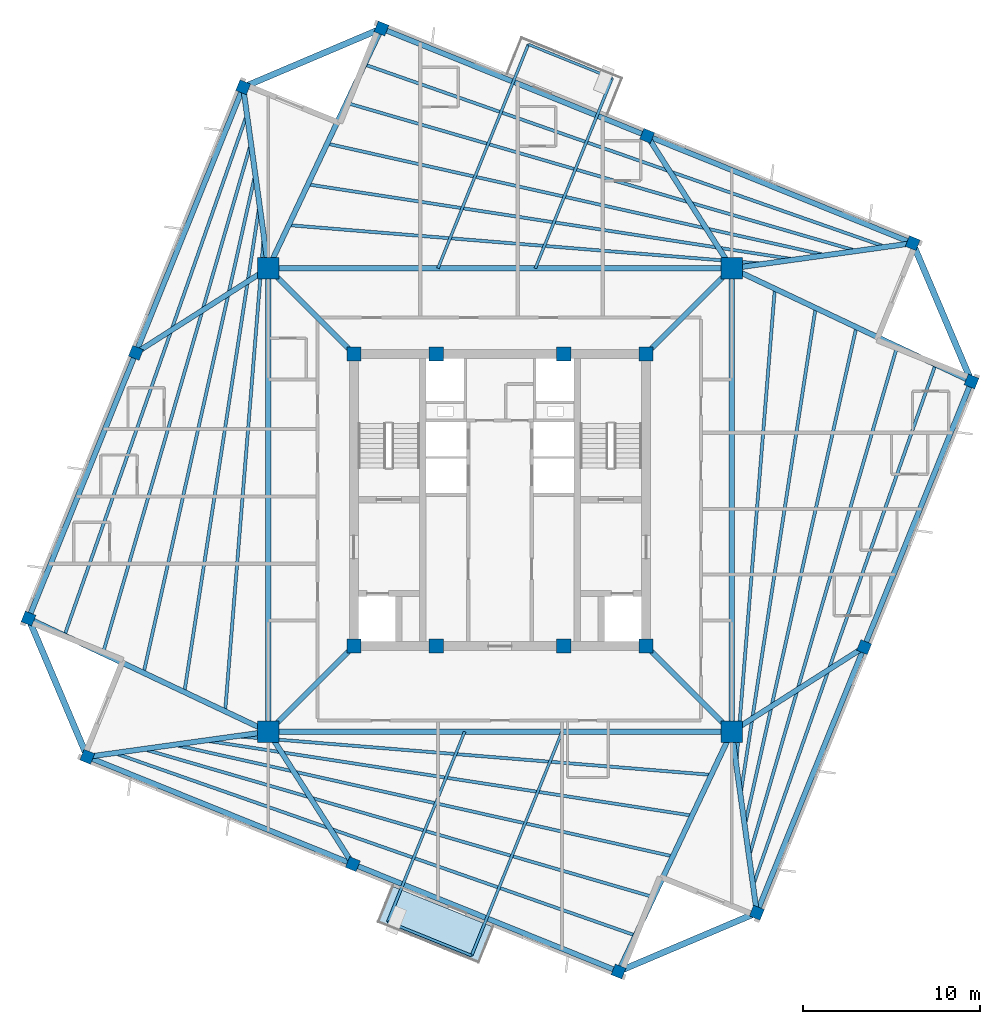
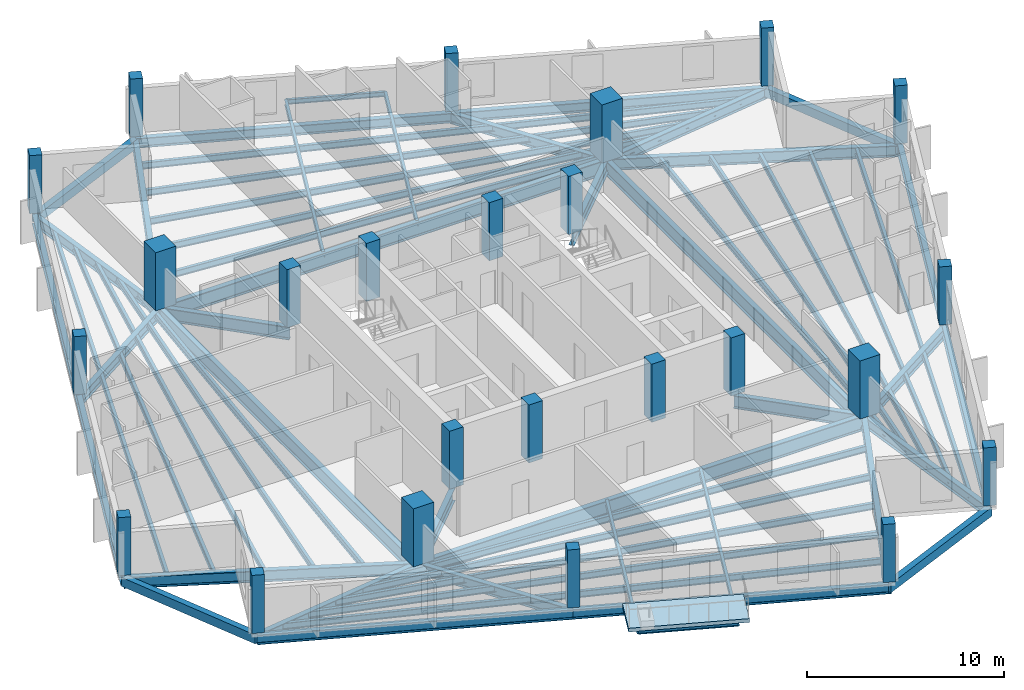
# One storey, part 1 of 9: 58 beams, 24 columns, 1 slab.
"""IFC4 building model written with IfcOpenShell, lengths in metres."""

from ifc_helpers import new_model, si_unit, direction, frame, origin, origin_2d, place, context, subcontext, project, spatial, polyline, rectangle, i_section, outline, extrude, source, transform, mapped, material, layer, layer_set, material_profile, profile_set, type_object, element, save


model = new_model("IFC4")

# Units and contexts
model_context = context("Model", 3, precision=1e-05, world=origin(), true_north=direction((0.0, 1.0)))
body_context = subcontext(model_context, "Body", "Model", "MODEL_VIEW")
ifc_project = project(units=[si_unit("LENGTHUNIT", "METRE"), si_unit("AREAUNIT", "SQUARE_METRE"), si_unit("VOLUMEUNIT", "CUBIC_METRE"), si_unit("PLANEANGLEUNIT", "RADIAN"), si_unit("MASSUNIT", "GRAM", prefix="KILO"), si_unit("THERMODYNAMICTEMPERATUREUNIT", "KELVIN")], contexts=[model_context])

# Site, building, storey
site_placement = place(None, origin())
site = spatial("IfcSite", under=ifc_project, at=site_placement, CompositionType="ELEMENT")
building_placement = place(site_placement, origin())
building = spatial("IfcBuilding", under=site, at=building_placement, Name="Kosmvard Interchange Tower", CompositionType="ELEMENT")
storey_placement = place(building_placement, frame((0.0, 0.0, 297.60009765625)))
storey = spatial("IfcBuildingStorey", under=building, at=storey_placement, Name="L73", CompositionType="ELEMENT", Elevation=297.60009765625)

# Columns
ifc_material_1 = material(Name="Concrete C50/60", Category="concrete")
ifc_material_profile_1 = material_profile(ifc_material_1, rectangle(XDim=0.800048828125, YDim=0.800048828125, at=origin_2d()), Name="CP 800x800")
ifc_profile_set_1 = profile_set([ifc_material_profile_1], Name="Concrete C50/60")
column_type_1 = type_object("IfcColumnType", Name="Core Boundary Pilaster 800x800 C50/60", PredefinedType="PILASTER", material=ifc_profile_set_1)
shared_shape_1 = source(origin(), body_context, "Body", "SweptSolid", [
    extrude(rectangle(XDim=0.800048828125, YDim=0.800048828125, at=origin_2d()), origin(), (0.0, 0.0, 1.0), 3.599853515625),
])
for number, where, z_axis, x_axis, name in (
    (1, (-8.25, -8.25, 0.0), (0.0, 0.0, 1.0), (1.0, 0.0, 0.0), "L73 Core Pilaster CP1"),
    (2, (8.25, -8.25, 0.0), (0.0, 0.0, 1.0), (1.0, 0.0, 0.0), "L73 Core Pilaster CP2"),
    (3, (8.25, 8.25, 0.0), (0.0, 0.0, 1.0), (1.0, 0.0, 0.0), "L73 Core Pilaster CP3"),
    (4, (-8.25, 8.25, 0.0), (0.0, 0.0, 1.0), (1.0, 0.0, 0.0), "L73 Core Pilaster CP4"),
    (5, (-3.60009765625, -8.25, 0.0), (0.0, 0.0, 1.0), (1.0, 0.0, 0.0), "L73 Core Pilaster CP5"),
    (6, (3.60009765625, -8.25, 0.0), (0.0, 0.0, 1.0), (1.0, 0.0, 0.0), "L73 Core Pilaster CP6"),
    (7, (-3.60009765625, 8.25, 0.0), (0.0, 0.0, 1.0), (1.0, 0.0, 0.0), "L73 Core Pilaster CP7"),
    (8, (3.60009765625, 8.25, 0.0), (0.0, 0.0, 1.0), (1.0, 0.0, 0.0), "L73 Core Pilaster CP8"),
):
    element("IfcColumn", number, at=place(storey_placement, frame(where, z_axis=z_axis, x_axis=x_axis)), inside=storey, type_object=column_type_1, Name=name, PredefinedType="PILASTER", context=body_context, shape_type="MappedRepresentation", body=[
        mapped(shared_shape_1, transform((0.0, 0.0, 0.0), scale=1.0)),
    ])
ifc_material_profile_2 = material_profile(ifc_material_1, rectangle(XDim=1.199951171875, YDim=1.199951171875, at=origin_2d()), Name="MC 1200x1200")
ifc_profile_set_2 = profile_set([ifc_material_profile_2], Name="Concrete C50/60")
column_type_2 = type_object("IfcColumnType", Name="Composite Mega-Column 1200x1200 C50/60", PredefinedType="COLUMN", material=ifc_profile_set_2)
shared_shape_2 = source(origin(), body_context, "Body", "SweptSolid", [
    extrude(rectangle(XDim=1.199951171875, YDim=1.199951171875, at=origin_2d()), origin(), (0.0, 0.0, 1.0), 3.599853515625),
])
for number, where, z_axis, x_axis, name in (
    (9, (-13.0810546875, -13.0810546875, 0.0), (0.0, 0.0, 1.0), (1.0, 0.0, 0.0), "L73 Corner Mega-Column MC1"),
    (10, (13.0810546875, -13.0810546875, 0.0), (0.0, 0.0, 1.0), (1.0, 0.0, 0.0), "L73 Corner Mega-Column MC2"),
    (11, (13.0810546875, 13.0810546875, 0.0), (0.0, 0.0, 1.0), (1.0, 0.0, 0.0), "L73 Corner Mega-Column MC3"),
    (12, (-13.0810546875, 13.0810546875, 0.0), (0.0, 0.0, 1.0), (1.0, 0.0, 0.0), "L73 Corner Mega-Column MC4"),
):
    element("IfcColumn", number, at=place(storey_placement, frame(where, z_axis=z_axis, x_axis=x_axis)), inside=storey, type_object=column_type_2, Name=name, PredefinedType="COLUMN", context=body_context, shape_type="MappedRepresentation", body=[
        mapped(shared_shape_2, transform((0.0, 0.0, 0.0), scale=1.0)),
    ])
ifc_material_profile_3 = material_profile(ifc_material_1, rectangle(XDim=0.64990234375, YDim=0.64990234375, at=origin_2d()), Name="TC 650x650")
ifc_profile_set_3 = profile_set([ifc_material_profile_3], Name="Concrete C50/60")
column_type_3 = type_object("IfcColumnType", Name="Zone 5 Perimeter Pier Column 650x650 C50/60", PredefinedType="COLUMN", material=ifc_profile_set_3)
shared_shape_3 = source(origin(), body_context, "Body", "SweptSolid", [
    extrude(rectangle(XDim=0.64990234375, YDim=0.64990234375, at=origin_2d()), origin(), (0.0, 0.0, 1.0), 3.599853515625),
])
for number, where, z_axis, x_axis, name in (
    (13, (14.5009765625, -23.30419921875, 0.0), (0.0, 0.0, 1.0), (0.374606593416, 0.927183854567, 0.0), "L73 Perimeter Pier Column TC-S1"),
    (14, (20.560302734375, -8.306884765625, 0.0), (0.0, 0.0, 1.0), (0.374606593416, 0.927183854567, 0.0), "L73 Perimeter Pier Column TC-S2"),
    (15, (26.61962890625, 6.690185546875, 0.0), (0.0, 0.0, 1.0), (0.374606593416, 0.927183854567, 0.0), "L73 Perimeter Pier Column TC-S3"),
    (16, (23.30419921875, 14.5009765625, 0.0), (0.0, 0.0, 1.0), (0.374606593416, 0.927183854567, 0.0), "L73 Perimeter Pier Column TC-E1"),
    (17, (8.306884765625, 20.560302734375, 0.0), (0.0, 0.0, 1.0), (0.374606593416, 0.927183854567, 0.0), "L73 Perimeter Pier Column TC-E2"),
    (18, (-6.690185546875, 26.61962890625, 0.0), (0.0, 0.0, 1.0), (0.374606593416, 0.927183854567, 0.0), "L73 Perimeter Pier Column TC-E3"),
    (19, (-14.5009765625, 23.30419921875, 0.0), (0.0, 0.0, 1.0), (0.374606593416, 0.927183854567, 0.0), "L73 Perimeter Pier Column TC-N1"),
    (20, (-20.560302734375, 8.306884765625, 0.0), (0.0, 0.0, 1.0), (0.374606593416, 0.927183854567, 0.0), "L73 Perimeter Pier Column TC-N2"),
    (21, (-26.61962890625, -6.690185546875, 0.0), (0.0, 0.0, 1.0), (0.374606593416, 0.927183854567, 0.0), "L73 Perimeter Pier Column TC-N3"),
    (22, (-23.30419921875, -14.5009765625, 0.0), (0.0, 0.0, 1.0), (0.374606593416, 0.927183854567, 0.0), "L73 Perimeter Pier Column TC-W1"),
    (23, (-8.306884765625, -20.560302734375, 0.0), (0.0, 0.0, 1.0), (0.374606593416, 0.927183854567, 0.0), "L73 Perimeter Pier Column TC-W2"),
    (24, (6.690185546875, -26.61962890625, 0.0), (0.0, 0.0, 1.0), (0.374606593416, 0.927183854567, 0.0), "L73 Perimeter Pier Column TC-W3"),
):
    element("IfcColumn", number, at=place(storey_placement, frame(where, z_axis=z_axis, x_axis=x_axis)), inside=storey, type_object=column_type_3, Name=name, PredefinedType="COLUMN", context=body_context, shape_type="MappedRepresentation", body=[
        mapped(shared_shape_3, transform((0.0, 0.0, 0.0), scale=1.0)),
    ])

# Beams
ifc_material_2 = material(Name="Steel S355", Category="steel")
ifc_material_profile_4 = material_profile(ifc_material_2, i_section(OverallWidth=0.14990234375, OverallDepth=0.300048828125, WebThickness=0.007080078125, FlangeThickness=0.0107421875, FilletRadius=0.014892578125, at=origin_2d()), Name="IPE 300")
ifc_profile_set_4 = profile_set([ifc_material_profile_4], Name="Steel S355")
beam_type_1 = type_object("IfcBeamType", Name="Balcony Edge Header Joist IPE 300 S355", PredefinedType="JOIST", material=ifc_profile_set_4)
shared_shape_4 = source(origin(), body_context, "Body", "SweptSolid", [
    extrude(i_section(OverallWidth=0.14990234375, OverallDepth=0.300048828125, WebThickness=0.007080078125, FlangeThickness=0.0107421875, FilletRadius=0.014892578125, at=origin_2d()), origin(), (0.0, 0.0, 1.0), 5.10009765625),
])
for number, where, z_axis, x_axis, name in (
    (25, (6.331298828125, 23.812255859375, -0.400146484375), (-0.927193563684, 0.37458256161, 0.0), (-0.37458256161, -0.927193563684, 0.0), "BM-L73-BJH1"),
    (26, (-6.331298828125, -23.812255859375, -0.400146484375), (0.927193563684, -0.37458256161, 0.0), (0.37458256161, 0.927193563684, 0.0), "BM-L73-BJH2"),
):
    element("IfcBeam", number, at=place(storey_placement, frame(where, z_axis=z_axis, x_axis=x_axis)), inside=storey, type_object=beam_type_1, Name=name, PredefinedType="JOIST", context=body_context, shape_type="MappedRepresentation", body=[
        mapped(shared_shape_4, transform((0.0, 0.0, 0.0), scale=1.0)),
    ])
ifc_material_profile_5 = material_profile(ifc_material_2, i_section(OverallWidth=0.300048828125, OverallDepth=0.800048828125, WebThickness=0.017578125, FlangeThickness=0.032958984375, FilletRadius=0.027099609375, at=origin_2d()), Name="HEB 800")
ifc_profile_set_5 = profile_set([ifc_material_profile_5], Name="Steel S355")
beam_type_2 = type_object("IfcBeamType", Name="Primary Mega-Frame Girder HEB 800 S355", PredefinedType="BEAM", material=ifc_profile_set_5)
shared_shape_5 = source(origin(), body_context, "Body", "SweptSolid", [
    extrude(i_section(OverallWidth=0.300048828125, OverallDepth=0.800048828125, WebThickness=0.017578125, FlangeThickness=0.032958984375, FilletRadius=0.027099609375, at=origin_2d()), origin(), (0.0, 0.0, 1.0), 6.83203125),
])
for number, where, z_axis, x_axis, name in (
    (27, (-8.25, -8.25, -0.650146484375), (-0.707106781187, -0.707106781187, 0.0), (0.707106781187, -0.707106781187, 0.0), "L73 Radial Mega-Frame Girder 1"),
    (28, (8.25, -8.25, -0.650146484375), (0.707106781187, -0.707106781187, 0.0), (0.707106781187, 0.707106781187, 0.0), "L73 Radial Mega-Frame Girder 2"),
    (29, (8.25, 8.25, -0.650146484375), (0.707106781187, 0.707106781187, 0.0), (-0.707106781187, 0.707106781187, 0.0), "L73 Radial Mega-Frame Girder 3"),
    (30, (-8.25, 8.25, -0.650146484375), (-0.707106781187, 0.707106781187, 0.0), (-0.707106781187, -0.707106781187, 0.0), "L73 Radial Mega-Frame Girder 4"),
):
    element("IfcBeam", number, at=place(storey_placement, frame(where, z_axis=z_axis, x_axis=x_axis)), inside=storey, type_object=beam_type_2, Name=name, PredefinedType="BEAM", context=body_context, shape_type="MappedRepresentation", body=[
        mapped(shared_shape_5, transform((0.0, 0.0, 0.0), scale=1.0)),
    ])
ifc_material_profile_6 = material_profile(ifc_material_2, i_section(OverallWidth=0.300048828125, OverallDepth=0.89990234375, WebThickness=0.0185546875, FlangeThickness=0.034912109375, FilletRadius=0.030029296875, at=origin_2d()), Name="HEB 900")
ifc_profile_set_6 = profile_set([ifc_material_profile_6], Name="Steel S355")
beam_type_3 = type_object("IfcBeamType", Name="Mega-Column Ring Girder HEB 900 S355", PredefinedType="BEAM", material=ifc_profile_set_6)
shared_shape_6 = source(origin(), body_context, "Body", "SweptSolid", [
    extrude(i_section(OverallWidth=0.300048828125, OverallDepth=0.89990234375, WebThickness=0.0185546875, FlangeThickness=0.034912109375, FilletRadius=0.030029296875, at=origin_2d()), origin(), (0.0, 0.0, 1.0), 26.162109375),
])
for number, where, z_axis, x_axis, name in (
    (31, (-13.0810546875, -13.0810546875, -0.7001953125), (1.0, 0.0, 0.0), (0.0, 1.0, 0.0), "L73 Mega-Column Ring Girder 1"),
    (32, (13.0810546875, -13.0810546875, -0.7001953125), (0.0, 1.0, 0.0), (-1.0, 0.0, 0.0), "L73 Mega-Column Ring Girder 2"),
    (33, (13.0810546875, 13.0810546875, -0.7001953125), (-1.0, 0.0, 0.0), (0.0, -1.0, 0.0), "L73 Mega-Column Ring Girder 3"),
    (34, (-13.0810546875, 13.0810546875, -0.7001953125), (0.0, -1.0, 0.0), (1.0, 0.0, 0.0), "L73 Mega-Column Ring Girder 4"),
):
    element("IfcBeam", number, at=place(storey_placement, frame(where, z_axis=z_axis, x_axis=x_axis)), inside=storey, type_object=beam_type_3, Name=name, PredefinedType="BEAM", context=body_context, shape_type="MappedRepresentation", body=[
        mapped(shared_shape_6, transform((0.0, 0.0, 0.0), scale=1.0)),
    ])
ifc_material_profile_7 = material_profile(ifc_material_2, i_section(OverallWidth=0.300048828125, OverallDepth=0.60009765625, WebThickness=0.015380859375, FlangeThickness=0.030029296875, FilletRadius=0.027099609375, at=origin_2d()), Name="HEB 600")
ifc_profile_set_7 = profile_set([ifc_material_profile_7], Name="Steel S355")
beam_type_4 = type_object("IfcBeamType", Name="Perimeter Tie Girder HEB 600 S355", PredefinedType="BEAM", material=ifc_profile_set_7)
shared_shape_7 = source(origin(), body_context, "Body", "SweptSolid", [
    extrude(i_section(OverallWidth=0.300048828125, OverallDepth=0.60009765625, WebThickness=0.015380859375, FlangeThickness=0.030029296875, FilletRadius=0.027099609375, at=origin_2d()), origin(), (0.0, 0.0, 1.0), 16.175048828125),
])
for number, where, z_axis, x_axis, name in (
    (35, (14.5009765625, -23.30419921875, -0.550048828125), (0.374607540279, 0.927183472009, 0.0), (-0.927183472009, 0.374607540279, 0.0), "BM-L73-PR01"),
    (36, (23.30419921875, 14.5009765625, -0.550048828125), (-0.927183472009, 0.374607540279, 0.0), (-0.374607540279, -0.927183472009, 0.0), "BM-L73-PR04"),
    (37, (-14.5009765625, 23.30419921875, -0.550048828125), (-0.374607540279, -0.927183472009, 0.0), (0.927183472009, -0.374607540279, 0.0), "BM-L73-PR07"),
    (38, (-23.30419921875, -14.5009765625, -0.550048828125), (0.927183472009, -0.374607540279, 0.0), (0.374607540279, 0.927183472009, 0.0), "BM-L73-PR10"),
):
    element("IfcBeam", number, at=place(storey_placement, frame(where, z_axis=z_axis, x_axis=x_axis)), inside=storey, type_object=beam_type_4, Name=name, PredefinedType="BEAM", context=body_context, shape_type="MappedRepresentation", body=[
        mapped(shared_shape_7, transform((0.0, 0.0, 0.0), scale=1.0)),
    ])
ifc_material_profile_8 = material_profile(ifc_material_2, i_section(OverallWidth=0.300048828125, OverallDepth=0.64990234375, WebThickness=0.01611328125, FlangeThickness=0.031005859375, FilletRadius=0.027099609375, at=origin_2d()), Name="HEB 650")
ifc_profile_set_8 = profile_set([ifc_material_profile_8], Name="Steel S355")
beam_type_5 = type_object("IfcBeamType", Name="Primary Floor Girder HEB 650 S355", PredefinedType="BEAM", material=ifc_profile_set_8)
shared_shape_8 = source(origin(), body_context, "Body", "SweptSolid", [
    extrude(i_section(OverallWidth=0.300048828125, OverallDepth=0.64990234375, WebThickness=0.01611328125, FlangeThickness=0.031005859375, FilletRadius=0.027099609375, at=origin_2d()), origin(), (0.0, 0.0, 1.0), 10.3212890625),
])
for number, where, z_axis, x_axis, name in (
    (39, (13.0810546875, -13.0810546875, -0.5751953125), (0.137572239014, -0.990491735984, 0.0), (0.990491735984, 0.137572239014, 0.0), "BM-L73-RD01"),
    (40, (13.0810546875, 13.0810546875, -0.5751953125), (0.990491735984, 0.137572239014, 0.0), (-0.137572239014, 0.990491735984, 0.0), "BM-L73-RD04"),
    (41, (-13.0810546875, 13.0810546875, -0.5751953125), (-0.137572239014, 0.990491735984, 0.0), (-0.990491735984, -0.137572239014, 0.0), "BM-L73-RD07"),
    (42, (-13.0810546875, -13.0810546875, -0.5751953125), (-0.990491735984, -0.137572239014, 0.0), (0.137572239014, -0.990491735984, 0.0), "BM-L73-RD10"),
):
    element("IfcBeam", number, at=place(storey_placement, frame(where, z_axis=z_axis, x_axis=x_axis)), inside=storey, type_object=beam_type_5, Name=name, PredefinedType="BEAM", context=body_context, shape_type="MappedRepresentation", body=[
        mapped(shared_shape_8, transform((0.0, 0.0, 0.0), scale=1.0)),
    ])
shared_shape_9 = source(origin(), body_context, "Body", "SweptSolid", [
    extrude(i_section(OverallWidth=0.300048828125, OverallDepth=0.60009765625, WebThickness=0.015380859375, FlangeThickness=0.030029296875, FilletRadius=0.027099609375, at=origin_2d()), origin(), (0.0, 0.0, 1.0), 16.1748046875),
])
for number, where, z_axis, x_axis, name in (
    (43, (20.560302734375, -8.306884765625, -0.550048828125), (0.374612782798, 0.92718135387, 0.0), (-0.92718135387, 0.374612782798, 0.0), "BM-L73-PR02"),
    (44, (8.306884765625, 20.560302734375, -0.550048828125), (-0.92718135387, 0.374612782798, 0.0), (-0.374612782798, -0.92718135387, 0.0), "BM-L73-PR05"),
    (45, (-20.560302734375, 8.306884765625, -0.550048828125), (-0.374612782798, -0.92718135387, 0.0), (0.92718135387, -0.374612782798, 0.0), "BM-L73-PR08"),
    (46, (-8.306884765625, -20.560302734375, -0.550048828125), (0.92718135387, -0.374612782798, 0.0), (0.374612782798, 0.92718135387, 0.0), "BM-L73-PR11"),
):
    element("IfcBeam", number, at=place(storey_placement, frame(where, z_axis=z_axis, x_axis=x_axis)), inside=storey, type_object=beam_type_4, Name=name, PredefinedType="BEAM", context=body_context, shape_type="MappedRepresentation", body=[
        mapped(shared_shape_9, transform((0.0, 0.0, 0.0), scale=1.0)),
    ])
shared_shape_10 = source(origin(), body_context, "Body", "SweptSolid", [
    extrude(i_section(OverallWidth=0.300048828125, OverallDepth=0.64990234375, WebThickness=0.01611328125, FlangeThickness=0.031005859375, FilletRadius=0.027099609375, at=origin_2d()), origin(), (0.0, 0.0, 1.0), 8.873046875),
])
for number, where, z_axis, x_axis, name in (
    (47, (13.0810546875, -13.0810546875, -0.5751953125), (0.842912916934, 0.538050011119, 0.0), (-0.538050011119, 0.842912916934, 0.0), "BM-L73-RD02"),
    (48, (13.0810546875, 13.0810546875, -0.5751953125), (-0.538050011119, 0.842912916934, 0.0), (-0.842912916934, -0.538050011119, 0.0), "BM-L73-RD05"),
    (49, (-13.0810546875, 13.0810546875, -0.5751953125), (-0.842912916934, -0.538050011119, 0.0), (0.538050011119, -0.842912916934, 0.0), "BM-L73-RD08"),
    (50, (-13.0810546875, -13.0810546875, -0.5751953125), (0.538050011119, -0.842912916934, 0.0), (0.842912916934, 0.538050011119, 0.0), "BM-L73-RD11"),
):
    element("IfcBeam", number, at=place(storey_placement, frame(where, z_axis=z_axis, x_axis=x_axis)), inside=storey, type_object=beam_type_5, Name=name, PredefinedType="BEAM", context=body_context, shape_type="MappedRepresentation", body=[
        mapped(shared_shape_10, transform((0.0, 0.0, 0.0), scale=1.0)),
    ])
ifc_material_3 = material(Name="Precast concrete C45/55", Category="concrete")
ifc_material_profile_9 = material_profile(ifc_material_3, rectangle(XDim=0.35009765625, YDim=0.550048828125, at=origin_2d()), Name="SL 350x550")
ifc_profile_set_9 = profile_set([ifc_material_profile_9], Name="Precast concrete C45/55")
beam_type_6 = type_object("IfcBeamType", Name="Precast Spandrel Lintel 350x550 C45/55", PredefinedType="LINTEL", material=ifc_profile_set_9)
shared_shape_11 = source(origin(), body_context, "Body", "SweptSolid", [
    extrude(rectangle(XDim=0.35009765625, YDim=0.550048828125, at=origin_2d()), origin(), (0.0, 0.0, 1.0), 8.4853515625),
])
for number, where, z_axis, x_axis, name in (
    (51, (26.61962890625, 6.690185546875, -0.525146484375), (-0.390725696857, 0.920507159025, 0.0), (-0.920507159025, -0.390725696857, 0.0), "BM-L73-SL1"),
    (52, (-6.690185546875, 26.61962890625, -0.525146484375), (-0.920507159025, -0.390725696857, 0.0), (0.390725696857, -0.920507159025, 0.0), "BM-L73-SL2"),
    (53, (-26.61962890625, -6.690185546875, -0.525146484375), (0.390725696857, -0.920507159025, 0.0), (0.920507159025, 0.390725696857, 0.0), "BM-L73-SL3"),
    (54, (6.690185546875, -26.61962890625, -0.525146484375), (0.920507159025, 0.390725696857, 0.0), (-0.390725696857, 0.920507159025, 0.0), "BM-L73-SL4"),
):
    element("IfcBeam", number, at=place(storey_placement, frame(where, z_axis=z_axis, x_axis=x_axis)), inside=storey, type_object=beam_type_6, Name=name, PredefinedType="LINTEL", context=body_context, shape_type="MappedRepresentation", body=[
        mapped(shared_shape_11, transform((0.0, 0.0, 0.0), scale=1.0)),
    ])
ifc_material_profile_10 = material_profile(ifc_material_2, i_section(OverallWidth=0.300048828125, OverallDepth=0.699951171875, WebThickness=0.01708984375, FlangeThickness=0.031982421875, FilletRadius=0.027099609375, at=origin_2d()), Name="HEB 700")
ifc_profile_set_10 = profile_set([ifc_material_profile_10], Name="Steel S355")
beam_type_7 = type_object("IfcBeamType", Name="Primary Floor Girder HEB 700 S355", PredefinedType="BEAM", material=ifc_profile_set_10)
shared_shape_12 = source(origin(), body_context, "Body", "SweptSolid", [
    extrude(i_section(OverallWidth=0.300048828125, OverallDepth=0.699951171875, WebThickness=0.01708984375, FlangeThickness=0.031982421875, FilletRadius=0.027099609375, at=origin_2d()), origin(), (0.0, 0.0, 1.0), 14.97119140625),
])
for number, where, z_axis, x_axis, name in (
    (55, (13.0810546875, 13.0810546875, -0.60009765625), (0.904309155001, -0.426878146761, 0.0), (0.426878146761, 0.904309155001, 0.0), "BM-L73-RD03"),
    (56, (-13.0810546875, 13.0810546875, -0.60009765625), (0.426878146761, 0.904309155001, 0.0), (-0.904309155001, 0.426878146761, 0.0), "BM-L73-RD06"),
    (57, (-13.0810546875, -13.0810546875, -0.60009765625), (-0.904309155001, 0.426878146761, 0.0), (-0.426878146761, -0.904309155001, 0.0), "BM-L73-RD09"),
    (58, (13.0810546875, -13.0810546875, -0.60009765625), (-0.426878146761, -0.904309155001, 0.0), (0.904309155001, -0.426878146761, 0.0), "BM-L73-RD12"),
):
    element("IfcBeam", number, at=place(storey_placement, frame(where, z_axis=z_axis, x_axis=x_axis)), inside=storey, type_object=beam_type_7, Name=name, PredefinedType="BEAM", context=body_context, shape_type="MappedRepresentation", body=[
        mapped(shared_shape_12, transform((0.0, 0.0, 0.0), scale=1.0)),
    ])
ifc_material_profile_11 = material_profile(ifc_material_2, i_section(OverallWidth=0.179931640625, OverallDepth=0.39990234375, WebThickness=0.008544921875, FlangeThickness=0.013427734375, FilletRadius=0.02099609375, at=origin_2d()), Name="IPE 400")
ifc_profile_set_11 = profile_set([ifc_material_profile_11], Name="Steel S355")
beam_type_8 = type_object("IfcBeamType", Name="Upper-Zone Floor Joist IPE 400 S355", PredefinedType="JOIST", material=ifc_profile_set_11)
shared_shape_13 = source(origin(), body_context, "Body", "SweptSolid", [
    extrude(i_section(OverallWidth=0.179931640625, OverallDepth=0.39990234375, WebThickness=0.008544921875, FlangeThickness=0.013427734375, FilletRadius=0.02099609375, at=origin_2d()), origin(), (0.0, 0.0, 1.0), 26.780029296875),
])
for number, where, z_axis, x_axis, name in (
    (59, (13.343017578125, -14.84130859375, -0.4501953125), (0.080972773487, 0.996716313679, 0.0), (-0.996716313679, 0.080972773487, 0.0), "BM-L73-FJ01"),
    (60, (14.84130859375, 13.343017578125, -0.4501953125), (-0.996716313679, 0.080972773487, 0.0), (-0.080972773487, -0.996716313679, 0.0), "BM-L73-FJ06"),
    (61, (-13.343017578125, 14.84130859375, -0.4501953125), (-0.080972773487, -0.996716313679, 0.0), (0.996716313679, -0.080972773487, 0.0), "BM-L73-FJ11"),
    (62, (-14.84130859375, -13.343017578125, -0.4501953125), (0.996716313679, -0.080972773487, 0.0), (0.080972773487, 0.996716313679, 0.0), "BM-L73-FJ16"),
):
    element("IfcBeam", number, at=place(storey_placement, frame(where, z_axis=z_axis, x_axis=x_axis)), inside=storey, type_object=beam_type_8, Name=name, PredefinedType="JOIST", context=body_context, shape_type="MappedRepresentation", body=[
        mapped(shared_shape_13, transform((0.0, 0.0, 0.0), scale=1.0)),
    ])
shared_shape_14 = source(origin(), body_context, "Body", "SweptSolid", [
    extrude(i_section(OverallWidth=0.179931640625, OverallDepth=0.39990234375, WebThickness=0.008544921875, FlangeThickness=0.013427734375, FilletRadius=0.02099609375, at=origin_2d()), origin(), (0.0, 0.0, 1.0), 27.66845703125),
])
for number, where, z_axis, x_axis, name in (
    (63, (13.590087890625, -16.580078125, -0.4501953125), (0.152421855854, 0.988315525456, 0.0), (-0.988315525456, 0.152421855854, 0.0), "BM-L73-FJ02"),
    (64, (16.580078125, 13.590087890625, -0.4501953125), (-0.988315525456, 0.152421855854, 0.0), (-0.152421855854, -0.988315525456, 0.0), "BM-L73-FJ07"),
    (65, (-13.590087890625, 16.580078125, -0.4501953125), (-0.152421855854, -0.988315525456, 0.0), (0.988315525456, -0.152421855854, 0.0), "BM-L73-FJ12"),
    (66, (-16.580078125, -13.590087890625, -0.4501953125), (0.988315525456, -0.152421855854, 0.0), (0.152421855854, 0.988315525456, 0.0), "BM-L73-FJ17"),
):
    element("IfcBeam", number, at=place(storey_placement, frame(where, z_axis=z_axis, x_axis=x_axis)), inside=storey, type_object=beam_type_8, Name=name, PredefinedType="JOIST", context=body_context, shape_type="MappedRepresentation", body=[
        mapped(shared_shape_14, transform((0.0, 0.0, 0.0), scale=1.0)),
    ])
shared_shape_15 = source(origin(), body_context, "Body", "SweptSolid", [
    extrude(i_section(OverallWidth=0.179931640625, OverallDepth=0.39990234375, WebThickness=0.008544921875, FlangeThickness=0.013427734375, FilletRadius=0.02099609375, at=origin_2d()), origin(), (0.0, 0.0, 1.0), 28.691162109375),
])
for number, where, z_axis, x_axis, name in (
    (67, (13.8369140625, -18.31884765625, -0.4501953125), (0.218415018158, 0.975855972899, 0.0), (-0.975855972899, 0.218415018158, 0.0), "BM-L73-FJ03"),
    (68, (18.31884765625, 13.8369140625, -0.4501953125), (-0.975855972899, 0.218415018158, 0.0), (-0.218415018158, -0.975855972899, 0.0), "BM-L73-FJ08"),
    (69, (-13.8369140625, 18.31884765625, -0.4501953125), (-0.218415018158, -0.975855972899, 0.0), (0.975855972899, -0.218415018158, 0.0), "BM-L73-FJ13"),
    (70, (-18.31884765625, -13.8369140625, -0.4501953125), (0.975855972899, -0.218415018158, 0.0), (0.218415018158, 0.975855972899, 0.0), "BM-L73-FJ18"),
):
    element("IfcBeam", number, at=place(storey_placement, frame(where, z_axis=z_axis, x_axis=x_axis)), inside=storey, type_object=beam_type_8, Name=name, PredefinedType="JOIST", context=body_context, shape_type="MappedRepresentation", body=[
        mapped(shared_shape_15, transform((0.0, 0.0, 0.0), scale=1.0)),
    ])
shared_shape_16 = source(origin(), body_context, "Body", "SweptSolid", [
    extrude(i_section(OverallWidth=0.179931640625, OverallDepth=0.39990234375, WebThickness=0.008544921875, FlangeThickness=0.013427734375, FilletRadius=0.02099609375, at=origin_2d()), origin(), (0.0, 0.0, 1.0), 29.83544921875),
])
for number, where, z_axis, x_axis, name in (
    (71, (14.0830078125, -20.05810546875, -0.4501953125), (0.27877586881, 0.960356191717, 0.0), (-0.960356191717, 0.27877586881, 0.0), "BM-L73-FJ04"),
    (72, (20.05810546875, 14.0830078125, -0.4501953125), (-0.960356191717, 0.27877586881, 0.0), (-0.27877586881, -0.960356191717, 0.0), "BM-L73-FJ09"),
    (73, (-14.0830078125, 20.05810546875, -0.4501953125), (-0.27877586881, -0.960356191717, 0.0), (0.960356191717, -0.27877586881, 0.0), "BM-L73-FJ14"),
    (74, (-20.05810546875, -14.0830078125, -0.4501953125), (0.960356191717, -0.27877586881, 0.0), (0.27877586881, 0.960356191717, 0.0), "BM-L73-FJ19"),
):
    element("IfcBeam", number, at=place(storey_placement, frame(where, z_axis=z_axis, x_axis=x_axis)), inside=storey, type_object=beam_type_8, Name=name, PredefinedType="JOIST", context=body_context, shape_type="MappedRepresentation", body=[
        mapped(shared_shape_16, transform((0.0, 0.0, 0.0), scale=1.0)),
    ])
shared_shape_17 = source(origin(), body_context, "Body", "SweptSolid", [
    extrude(i_section(OverallWidth=0.179931640625, OverallDepth=0.39990234375, WebThickness=0.008544921875, FlangeThickness=0.013427734375, FilletRadius=0.02099609375, at=origin_2d()), origin(), (0.0, 0.0, 1.0), 31.0107421875),
])
for number, where, z_axis, x_axis, name in (
    (75, (14.314453125, -21.695068359375, -0.4501953125), (0.330459834828, 0.943820055713, 0.0), (-0.943820055713, 0.330459834828, 0.0), "BM-L73-FJ05"),
    (76, (21.695068359375, 14.314453125, -0.4501953125), (-0.943820055713, 0.330459834828, 0.0), (-0.330459834828, -0.943820055713, 0.0), "BM-L73-FJ10"),
    (77, (-14.314453125, 21.695068359375, -0.4501953125), (-0.330459834828, -0.943820055713, 0.0), (0.943820055713, -0.330459834828, 0.0), "BM-L73-FJ15"),
    (78, (-21.695068359375, -14.314453125, -0.4501953125), (0.943820055713, -0.330459834828, 0.0), (0.330459834828, 0.943820055713, 0.0), "BM-L73-FJ20"),
):
    element("IfcBeam", number, at=place(storey_placement, frame(where, z_axis=z_axis, x_axis=x_axis)), inside=storey, type_object=beam_type_8, Name=name, PredefinedType="JOIST", context=body_context, shape_type="MappedRepresentation", body=[
        mapped(shared_shape_17, transform((0.0, 0.0, 0.0), scale=1.0)),
    ])
ifc_material_profile_12 = material_profile(ifc_material_2, i_section(OverallWidth=0.159912109375, OverallDepth=0.330078125, WebThickness=0.007568359375, FlangeThickness=0.011474609375, FilletRadius=0.01806640625, at=origin_2d()), Name="IPE 330")
ifc_profile_set_12 = profile_set([ifc_material_profile_12], Name="Steel S355")
beam_type_9 = type_object("IfcBeamType", Name="Balcony Cantilever Joist IPE 330 S355", PredefinedType="JOIST", material=ifc_profile_set_12)
shared_shape_18 = source(origin(), body_context, "Body", "SweptSolid", [
    extrude(i_section(OverallWidth=0.159912109375, OverallDepth=0.330078125, WebThickness=0.007568359375, FlangeThickness=0.011474609375, FilletRadius=0.01806640625, at=origin_2d()), origin(), (0.0, 0.0, 1.0), 11.573974609375),
])
for number, where, z_axis, x_axis, name in (
    (79, (1.99560546875, 13.0810546875, -0.4150390625), (0.374607087443, 0.927183654967, 0.0), (-0.927183654967, 0.374607087443, 0.0), "BM-L73-BJ1"),
    (80, (-1.99560546875, -13.0810546875, -0.4150390625), (-0.374607087443, -0.927183654967, 0.0), (0.927183654967, -0.374607087443, 0.0), "BM-L73-BJ2"),
):
    element("IfcBeam", number, at=place(storey_placement, frame(where, z_axis=z_axis, x_axis=x_axis)), inside=storey, type_object=beam_type_9, Name=name, PredefinedType="JOIST", context=body_context, shape_type="MappedRepresentation", body=[
        mapped(shared_shape_18, transform((0.0, 0.0, 0.0), scale=1.0)),
    ])
shared_shape_19 = source(origin(), body_context, "Body", "SweptSolid", [
    extrude(i_section(OverallWidth=0.159912109375, OverallDepth=0.330078125, WebThickness=0.007568359375, FlangeThickness=0.011474609375, FilletRadius=0.01806640625, at=origin_2d()), origin(), (0.0, 0.0, 1.0), 13.63427734375),
])
for number, where, z_axis, x_axis, name in (
    (81, (-3.5048828125, 13.0810546875, -0.4150390625), (0.374599235723, 0.927186827234, 0.0), (-0.927186827234, 0.374599235723, 0.0), "BM-L73-BJB1"),
    (82, (3.5048828125, -13.0810546875, -0.4150390625), (-0.374599235723, -0.927186827234, 0.0), (0.927186827234, -0.374599235723, 0.0), "BM-L73-BJB2"),
):
    element("IfcBeam", number, at=place(storey_placement, frame(where, z_axis=z_axis, x_axis=x_axis)), inside=storey, type_object=beam_type_9, Name=name, PredefinedType="JOIST", context=body_context, shape_type="MappedRepresentation", body=[
        mapped(shared_shape_19, transform((0.0, 0.0, 0.0), scale=1.0)),
    ])

# Slab
ifc_layer = layer(ifc_material_1, 0.22998046875, Name="Concrete C50/60")
ifc_layer_set = layer_set([ifc_layer], Name="Concrete C50/60")
slab_type = type_object("IfcSlabType", Name="Tree-Planter Cantilever Balcony Slab 230 C50/60", PredefinedType="FLOOR", material=ifc_layer_set)
slab_placement = place(storey_placement, frame((0.0, 0.0, -0.22998046875)))
element("IfcSlab", 83, at=slab_placement, inside=storey, type_object=slab_type, Name="L73 Outdoor Terrace Balcony Slab BAL-L73-W", PredefinedType="FLOOR", context=body_context, shape_type="SweptSolid", body=[
    extrude(outline(polyline([(-1.186279296875, -26.160400390625), (-0.362060546875, -24.12060546875), (-6.110595703125, -21.798095703125), (-6.934814453125, -23.837890625), (-1.186279296875, -26.160400390625)])), origin(), (0.0, 0.0, 1.0), 0.22998046875),
])

save(model, "model.ifc")
